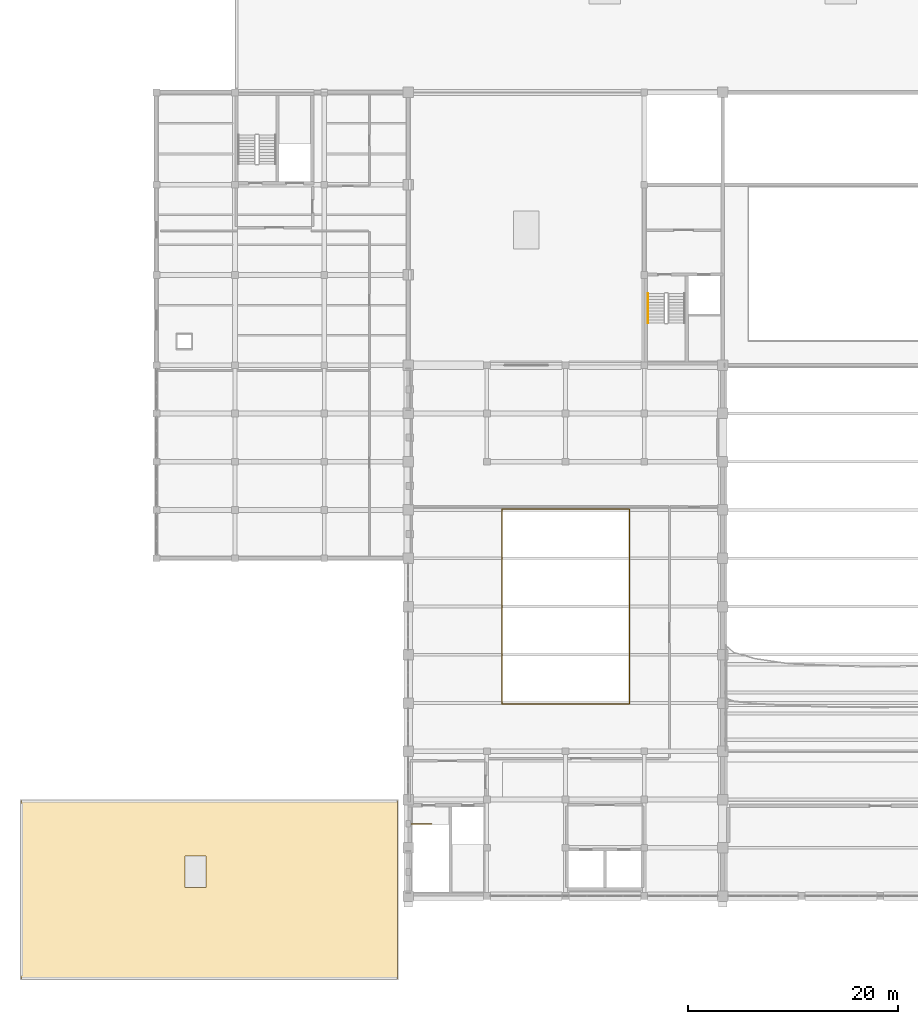
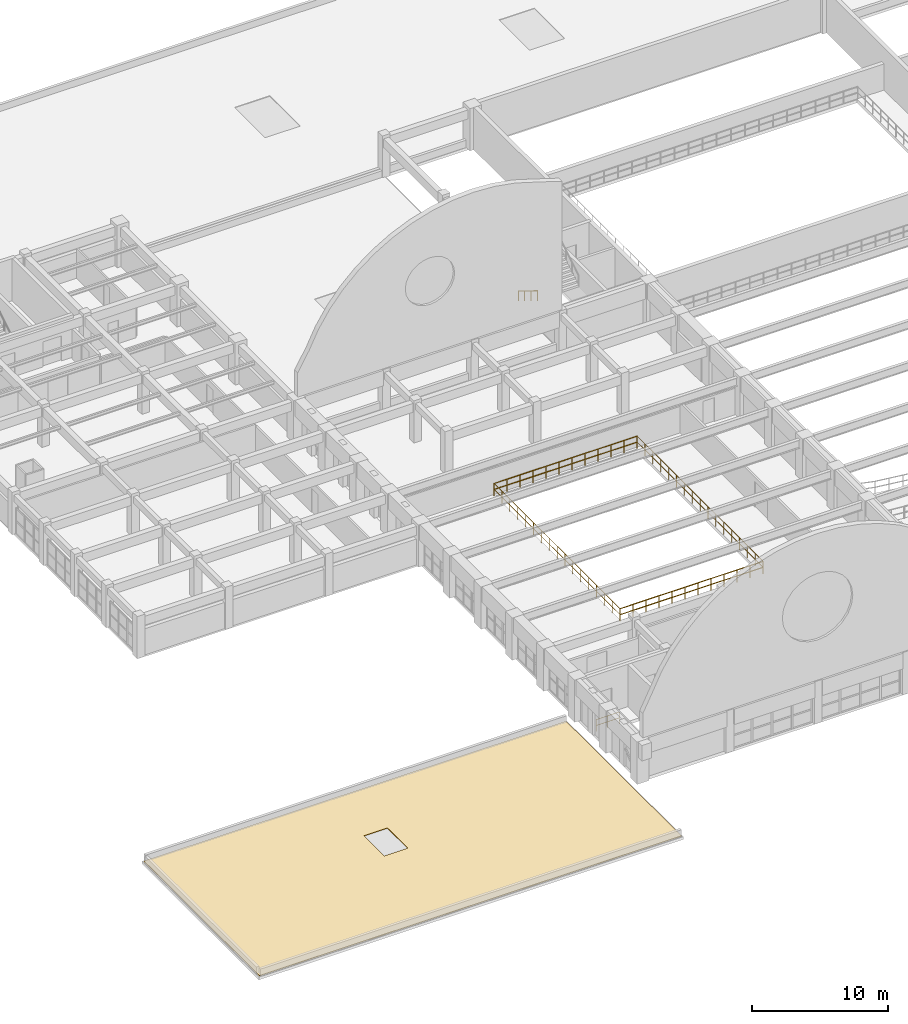
# One storey, part 65 of 74: 6 railings, 1 covering.
"""IFC4 building model written with IfcOpenShell, lengths in metres."""

from ifc_helpers import new_model, si_unit, direction, frame, origin, origin_2d, place, context, subcontext, project, spatial, polyline, circle, outline, extrude, material, layer, layer_set, type_object, element, save


model = new_model("IFC4")

# Units and contexts
model_context = context("Model", 3, precision=1e-05, world=origin(), true_north=direction((0.0, 1.0)))
body_context = subcontext(model_context, "Body", "Model", "MODEL_VIEW")
ifc_project = project(units=[si_unit("LENGTHUNIT", "METRE"), si_unit("AREAUNIT", "SQUARE_METRE"), si_unit("VOLUMEUNIT", "CUBIC_METRE"), si_unit("PLANEANGLEUNIT", "RADIAN"), si_unit("MASSUNIT", "GRAM", prefix="KILO")], contexts=[model_context])

# Site, building, storey
site_placement = place(None, origin())
site = spatial("IfcSite", under=ifc_project, at=site_placement, CompositionType="ELEMENT")
building_placement = place(site_placement, origin())
building = spatial("IfcBuilding", under=site, at=building_placement, Name="Muzn Square Opera House", CompositionType="ELEMENT")
storey_placement = place(building_placement, frame((0.0, 0.0, 14.199951171875)))
storey = spatial("IfcBuildingStorey", under=building, at=storey_placement, Name="L03", CompositionType="ELEMENT", Elevation=14.199951171875)

# Railings
ifc_material_1 = material(Name="Architectural bronze mashrabiya", Category="metal")
railing_type_1 = type_object("IfcRailingType", Name="Bronze Protective Balustrade 1120mm", PredefinedType="BALUSTRADE", material=ifc_material_1)
railing_1_placement = place(storey_placement, frame((51.919921875, 40.320068359375, 0.0)))
element("IfcRailing", 1, at=railing_1_placement, inside=storey, type_object=railing_type_1, Name="Void Edge Balustrade L03-0047", PredefinedType="BALUSTRADE", context=body_context, shape_type="SweptSolid", body=[
    extrude(circle(Radius=0.02392578125, at=origin_2d()), frame((0.0, 0.0, 1.09619140625), z_axis=(1.0, 0.0, 0.0), x_axis=(0.0, 1.0, 0.0)), (0.0, 0.0, 1.0), 12.16015625),
    extrude(circle(Radius=0.02392578125, at=origin_2d()), frame((0.0, 0.0, 0.56005859375), z_axis=(1.0, 0.0, 0.0), x_axis=(0.0, 1.0, 0.0)), (0.0, 0.0, 1.0), 12.16015625),
    extrude(circle(Radius=0.02099609375, at=origin_2d()), origin(), (0.0, 0.0, 1.0), 1.072021484375),
    extrude(circle(Radius=0.02099609375, at=origin_2d()), frame((1.10546875, 0.0, 0.0)), (0.0, 0.0, 1.0), 1.072021484375),
    extrude(circle(Radius=0.02099609375, at=origin_2d()), frame((2.2109375, 0.0, 0.0)), (0.0, 0.0, 1.0), 1.072021484375),
    extrude(circle(Radius=0.02099609375, at=origin_2d()), frame((3.31640625, 0.0, 0.0)), (0.0, 0.0, 1.0), 1.072021484375),
    extrude(circle(Radius=0.02099609375, at=origin_2d()), frame((4.421875, 0.0, 0.0)), (0.0, 0.0, 1.0), 1.072021484375),
    extrude(circle(Radius=0.02099609375, at=origin_2d()), frame((5.52734375, 0.0, 0.0)), (0.0, 0.0, 1.0), 1.072021484375),
    extrude(circle(Radius=0.02099609375, at=origin_2d()), frame((6.6328125, 0.0, 0.0)), (0.0, 0.0, 1.0), 1.072021484375),
    extrude(circle(Radius=0.02099609375, at=origin_2d()), frame((7.73828125, 0.0, 0.0)), (0.0, 0.0, 1.0), 1.072021484375),
    extrude(circle(Radius=0.02099609375, at=origin_2d()), frame((8.84375, 0.0, 0.0)), (0.0, 0.0, 1.0), 1.072021484375),
    extrude(circle(Radius=0.02099609375, at=origin_2d()), frame((9.94921875, 0.0, 0.0)), (0.0, 0.0, 1.0), 1.072021484375),
    extrude(circle(Radius=0.02099609375, at=origin_2d()), frame((11.0546875, 0.0, 0.0)), (0.0, 0.0, 1.0), 1.072021484375),
    extrude(circle(Radius=0.02099609375, at=origin_2d()), frame((12.16015625, 0.0, 0.0)), (0.0, 0.0, 1.0), 1.072021484375),
])
railing_2_placement = place(storey_placement, frame((64.080078125, 40.320068359375, 0.0)))
element("IfcRailing", 2, at=railing_2_placement, inside=storey, type_object=railing_type_1, Name="Void Edge Balustrade L03-0048", PredefinedType="BALUSTRADE", context=body_context, shape_type="SweptSolid", body=[
    extrude(circle(Radius=0.02392578125, at=origin_2d()), frame((0.0, 0.0, 1.09619140625), z_axis=(0.0, 1.0, 0.0), x_axis=(-1.0, 0.0, 0.0)), (0.0, 0.0, 1.0), 18.559814453125),
    extrude(circle(Radius=0.02392578125, at=origin_2d()), frame((0.0, 0.0, 0.56005859375), z_axis=(0.0, 1.0, 0.0), x_axis=(-1.0, 0.0, 0.0)), (0.0, 0.0, 1.0), 18.559814453125),
    extrude(circle(Radius=0.02099609375, at=origin_2d()), origin(), (0.0, 0.0, 1.0), 1.072021484375),
    extrude(circle(Radius=0.02099609375, at=origin_2d()), frame((0.0, 1.159912109375, 0.0)), (0.0, 0.0, 1.0), 1.072021484375),
    extrude(circle(Radius=0.02099609375, at=origin_2d()), frame((0.0, 2.320068359375, 0.0)), (0.0, 0.0, 1.0), 1.072021484375),
    extrude(circle(Radius=0.02099609375, at=origin_2d()), frame((0.0, 3.47998046875, 0.0)), (0.0, 0.0, 1.0), 1.072021484375),
    extrude(circle(Radius=0.02099609375, at=origin_2d()), frame((0.0, 4.639892578125, 0.0)), (0.0, 0.0, 1.0), 1.072021484375),
    extrude(circle(Radius=0.02099609375, at=origin_2d()), frame((0.0, 5.800048828125, 0.0)), (0.0, 0.0, 1.0), 1.072021484375),
    extrude(circle(Radius=0.02099609375, at=origin_2d()), frame((0.0, 6.9599609375, 0.0)), (0.0, 0.0, 1.0), 1.072021484375),
    extrude(circle(Radius=0.02099609375, at=origin_2d()), frame((0.0, 8.119873046875, 0.0)), (0.0, 0.0, 1.0), 1.072021484375),
    extrude(circle(Radius=0.02099609375, at=origin_2d()), frame((0.0, 9.27978515625, 0.0)), (0.0, 0.0, 1.0), 1.072021484375),
    extrude(circle(Radius=0.02099609375, at=origin_2d()), frame((0.0, 10.43994140625, 0.0)), (0.0, 0.0, 1.0), 1.072021484375),
    extrude(circle(Radius=0.02099609375, at=origin_2d()), frame((0.0, 11.599853515625, 0.0)), (0.0, 0.0, 1.0), 1.072021484375),
    extrude(circle(Radius=0.02099609375, at=origin_2d()), frame((0.0, 12.759765625, 0.0)), (0.0, 0.0, 1.0), 1.072021484375),
    extrude(circle(Radius=0.02099609375, at=origin_2d()), frame((0.0, 13.919921875, 0.0)), (0.0, 0.0, 1.0), 1.072021484375),
    extrude(circle(Radius=0.02099609375, at=origin_2d()), frame((0.0, 15.079833984375, 0.0)), (0.0, 0.0, 1.0), 1.072021484375),
    extrude(circle(Radius=0.02099609375, at=origin_2d()), frame((0.0, 16.23974609375, 0.0)), (0.0, 0.0, 1.0), 1.072021484375),
    extrude(circle(Radius=0.02099609375, at=origin_2d()), frame((0.0, 17.39990234375, 0.0)), (0.0, 0.0, 1.0), 1.072021484375),
    extrude(circle(Radius=0.02099609375, at=origin_2d()), frame((0.0, 18.559814453125, 0.0)), (0.0, 0.0, 1.0), 1.072021484375),
])
railing_3_placement = place(storey_placement, frame((64.080078125, 58.8798828125, 0.0)))
element("IfcRailing", 3, at=railing_3_placement, inside=storey, type_object=railing_type_1, Name="Void Edge Balustrade L03-0049", PredefinedType="BALUSTRADE", context=body_context, shape_type="SweptSolid", body=[
    extrude(circle(Radius=0.02392578125, at=origin_2d()), frame((0.0, 0.0, 1.09619140625), z_axis=(-1.0, 0.0, 0.0), x_axis=(0.0, -1.0, 0.0)), (0.0, 0.0, 1.0), 12.16015625),
    extrude(circle(Radius=0.02392578125, at=origin_2d()), frame((0.0, 0.0, 0.56005859375), z_axis=(-1.0, 0.0, 0.0), x_axis=(0.0, -1.0, 0.0)), (0.0, 0.0, 1.0), 12.16015625),
    extrude(circle(Radius=0.02099609375, at=origin_2d()), origin(), (0.0, 0.0, 1.0), 1.072021484375),
    extrude(circle(Radius=0.02099609375, at=origin_2d()), frame((-1.10546875, 0.0, 0.0)), (0.0, 0.0, 1.0), 1.072021484375),
    extrude(circle(Radius=0.02099609375, at=origin_2d()), frame((-2.2109375, 0.0, 0.0)), (0.0, 0.0, 1.0), 1.072021484375),
    extrude(circle(Radius=0.02099609375, at=origin_2d()), frame((-3.31640625, 0.0, 0.0)), (0.0, 0.0, 1.0), 1.072021484375),
    extrude(circle(Radius=0.02099609375, at=origin_2d()), frame((-4.421875, 0.0, 0.0)), (0.0, 0.0, 1.0), 1.072021484375),
    extrude(circle(Radius=0.02099609375, at=origin_2d()), frame((-5.52734375, 0.0, 0.0)), (0.0, 0.0, 1.0), 1.072021484375),
    extrude(circle(Radius=0.02099609375, at=origin_2d()), frame((-6.6328125, 0.0, 0.0)), (0.0, 0.0, 1.0), 1.072021484375),
    extrude(circle(Radius=0.02099609375, at=origin_2d()), frame((-7.73828125, 0.0, 0.0)), (0.0, 0.0, 1.0), 1.072021484375),
    extrude(circle(Radius=0.02099609375, at=origin_2d()), frame((-8.84375, 0.0, 0.0)), (0.0, 0.0, 1.0), 1.072021484375),
    extrude(circle(Radius=0.02099609375, at=origin_2d()), frame((-9.94921875, 0.0, 0.0)), (0.0, 0.0, 1.0), 1.072021484375),
    extrude(circle(Radius=0.02099609375, at=origin_2d()), frame((-11.0546875, 0.0, 0.0)), (0.0, 0.0, 1.0), 1.072021484375),
    extrude(circle(Radius=0.02099609375, at=origin_2d()), frame((-12.16015625, 0.0, 0.0)), (0.0, 0.0, 1.0), 1.072021484375),
])
railing_4_placement = place(storey_placement, frame((51.919921875, 58.8798828125, 0.0)))
element("IfcRailing", 4, at=railing_4_placement, inside=storey, type_object=railing_type_1, Name="Void Edge Balustrade L03-0050", PredefinedType="BALUSTRADE", context=body_context, shape_type="SweptSolid", body=[
    extrude(circle(Radius=0.02392578125, at=origin_2d()), frame((0.0, 0.0, 1.09619140625), z_axis=(0.0, -1.0, 0.0), x_axis=(1.0, 0.0, 0.0)), (0.0, 0.0, 1.0), 18.559814453125),
    extrude(circle(Radius=0.02392578125, at=origin_2d()), frame((0.0, 0.0, 0.56005859375), z_axis=(0.0, -1.0, 0.0), x_axis=(1.0, 0.0, 0.0)), (0.0, 0.0, 1.0), 18.559814453125),
    extrude(circle(Radius=0.02099609375, at=origin_2d()), origin(), (0.0, 0.0, 1.0), 1.072021484375),
    extrude(circle(Radius=0.02099609375, at=origin_2d()), frame((0.0, -1.159912109375, 0.0)), (0.0, 0.0, 1.0), 1.072021484375),
    extrude(circle(Radius=0.02099609375, at=origin_2d()), frame((0.0, -2.320068359375, 0.0)), (0.0, 0.0, 1.0), 1.072021484375),
    extrude(circle(Radius=0.02099609375, at=origin_2d()), frame((0.0, -3.47998046875, 0.0)), (0.0, 0.0, 1.0), 1.072021484375),
    extrude(circle(Radius=0.02099609375, at=origin_2d()), frame((0.0, -4.639892578125, 0.0)), (0.0, 0.0, 1.0), 1.072021484375),
    extrude(circle(Radius=0.02099609375, at=origin_2d()), frame((0.0, -5.800048828125, 0.0)), (0.0, 0.0, 1.0), 1.072021484375),
    extrude(circle(Radius=0.02099609375, at=origin_2d()), frame((0.0, -6.9599609375, 0.0)), (0.0, 0.0, 1.0), 1.072021484375),
    extrude(circle(Radius=0.02099609375, at=origin_2d()), frame((0.0, -8.119873046875, 0.0)), (0.0, 0.0, 1.0), 1.072021484375),
    extrude(circle(Radius=0.02099609375, at=origin_2d()), frame((0.0, -9.27978515625, 0.0)), (0.0, 0.0, 1.0), 1.072021484375),
    extrude(circle(Radius=0.02099609375, at=origin_2d()), frame((0.0, -10.43994140625, 0.0)), (0.0, 0.0, 1.0), 1.072021484375),
    extrude(circle(Radius=0.02099609375, at=origin_2d()), frame((0.0, -11.599853515625, 0.0)), (0.0, 0.0, 1.0), 1.072021484375),
    extrude(circle(Radius=0.02099609375, at=origin_2d()), frame((0.0, -12.759765625, 0.0)), (0.0, 0.0, 1.0), 1.072021484375),
    extrude(circle(Radius=0.02099609375, at=origin_2d()), frame((0.0, -13.919921875, 0.0)), (0.0, 0.0, 1.0), 1.072021484375),
    extrude(circle(Radius=0.02099609375, at=origin_2d()), frame((0.0, -15.079833984375, 0.0)), (0.0, 0.0, 1.0), 1.072021484375),
    extrude(circle(Radius=0.02099609375, at=origin_2d()), frame((0.0, -16.23974609375, 0.0)), (0.0, 0.0, 1.0), 1.072021484375),
    extrude(circle(Radius=0.02099609375, at=origin_2d()), frame((0.0, -17.39990234375, 0.0)), (0.0, 0.0, 1.0), 1.072021484375),
    extrude(circle(Radius=0.02099609375, at=origin_2d()), frame((0.0, -18.559814453125, 0.0)), (0.0, 0.0, 1.0), 1.072021484375),
])

# Covering
ifc_material_2 = material(Name="Insulated roof membrane")
ifc_layer = layer(ifc_material_2, 0.050048828125, Name="Insulated roof membrane")
ifc_layer_set = layer_set([ifc_layer], Name="Insulated roof membrane")
covering_type = type_object("IfcCoveringType", Name="Insulated Flat Roof Membrane", PredefinedType="ROOFING", material=ifc_layer_set)
covering_placement = place(storey_placement, origin())
element("IfcCovering", 5, at=covering_placement, inside=storey, type_object=covering_type, Name="Flat Roof Membrane ROOF-L03-WSOUTH", PredefinedType="ROOFING", context=body_context, shape_type="SweptSolid", body=[
    extrude(outline(polyline([(6.10009765625, 14.10009765625), (42.0, 14.10009765625), (42.0, 31.10009765625), (6.10009765625, 31.10009765625), (6.10009765625, 14.10009765625)]), holes=[polyline([(21.75, 22.800048828125), (23.75, 22.800048828125), (23.75, 25.800048828125), (21.75, 25.800048828125), (21.75, 22.800048828125)])]), origin(), (0.0, 0.0, 1.0), 0.050048828125),
])

# Railings
ifc_material_3 = material(Name="Brushed stainless steel", Category="metal")
railing_type_2 = type_object("IfcRailingType", Name="Stair Guard Railing 1120mm", PredefinedType="GUARDRAIL", material=ifc_material_3)
railing_5_placement = place(storey_placement, frame((43.300048828125, 28.889892578125, 0.0)))
element("IfcRailing", 6, at=railing_5_placement, inside=storey, type_object=railing_type_2, Name="L03 ST-3 top well guard 1", PredefinedType="GUARDRAIL", context=body_context, shape_type="SweptSolid", body=[
    extrude(circle(Radius=0.02392578125, at=origin_2d()), frame((0.0, 0.0, 1.076171875), z_axis=(1.0, 0.0, 0.0), x_axis=(0.0, 1.0, 0.0)), (0.0, 0.0, 1.0), 1.93994140625),
    extrude(circle(Radius=0.02392578125, at=origin_2d()), frame((0.0, 0.0, 0.550048828125), z_axis=(1.0, 0.0, 0.0), x_axis=(0.0, 1.0, 0.0)), (0.0, 0.0, 1.0), 1.93994140625),
    extrude(circle(Radius=0.02099609375, at=origin_2d()), origin(), (0.0, 0.0, 1.0), 1.052001953125),
    extrude(circle(Radius=0.02099609375, at=origin_2d()), frame((0.969970703125, 0.0, 0.0)), (0.0, 0.0, 1.0), 1.052001953125),
    extrude(circle(Radius=0.02099609375, at=origin_2d()), frame((1.93994140625, 0.0, 0.0)), (0.0, 0.0, 1.0), 1.052001953125),
])
railing_type_3 = type_object("IfcRailingType", Name="Stair Pitch Handrail 900mm", PredefinedType="HANDRAIL", material=ifc_material_3)
railing_6_placement = place(storey_placement, frame((65.85009765625, 79.43994140625, 0.1728515625)))
element("IfcRailing", 7, at=railing_6_placement, inside=storey, type_object=railing_type_3, Name="L03 ST-1 stair handrail 1", PredefinedType="HANDRAIL", context=body_context, shape_type="SweptSolid", body=[
    extrude(circle(Radius=0.02392578125, at=origin_2d()), frame((0.0, 0.0, 0.8759765625), z_axis=(0.0, -0.851089632645, 0.525020415988), x_axis=(1.0, 0.0, 0.0)), (0.0, 0.0, 1.0), 3.2900390625),
    extrude(circle(Radius=0.02099609375, at=origin_2d()), origin(), (0.0, 0.0, 1.0), 0.851806640625),
    extrude(circle(Radius=0.02099609375, at=origin_2d()), frame((0.0, -0.933349609375, 0.57568359375)), (0.0, 0.0, 1.0), 0.851806640625),
    extrude(circle(Radius=0.02099609375, at=origin_2d()), frame((0.0, -1.86669921875, 1.151611328125)), (0.0, 0.0, 1.0), 0.851806640625),
    extrude(circle(Radius=0.02099609375, at=origin_2d()), frame((0.0, -2.800048828125, 1.727294921875)), (0.0, 0.0, 1.0), 0.851806640625),
])

save(model, "model.ifc")
